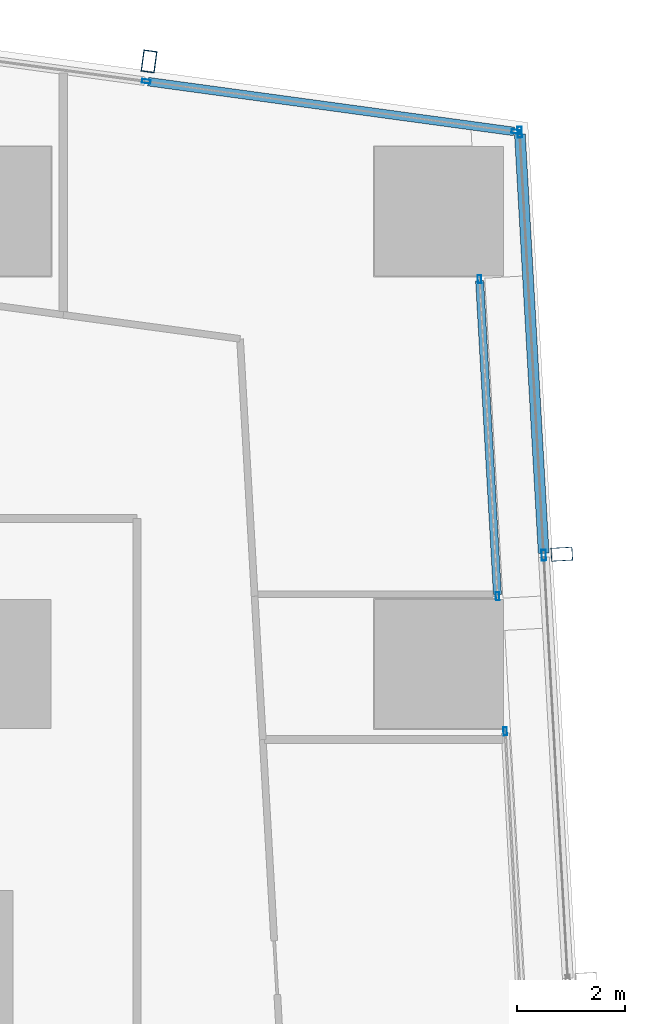
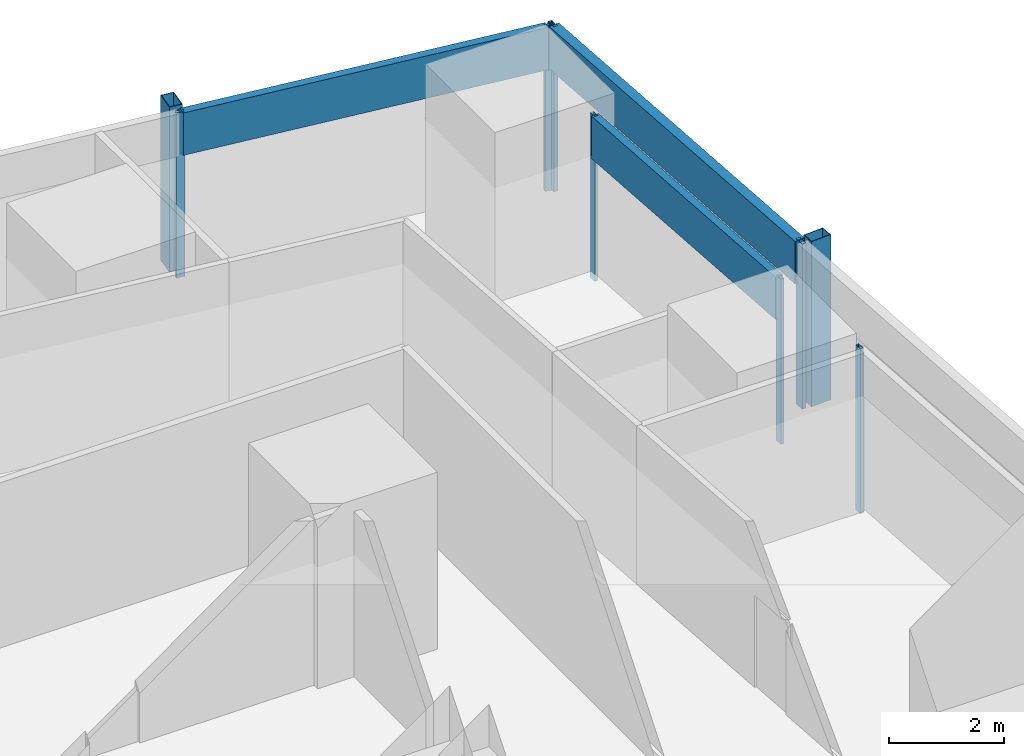
# One storey, part 21 of 37: 12 members, 4 elements without a shape of their own.
"""IFC4 building model written with IfcOpenShell, lengths in metres."""

from ifc_helpers import new_model, si_unit, direction, frame, origin, origin_2d, place, context, subcontext, project, spatial, hollow_rectangle, extrude, material, material_profile, profile_set, type_object, element, aggregate, save


model = new_model("IFC4")

# Units and contexts
model_context = context("Model", 3, precision=1e-05, world=origin(), true_north=direction((0.0, 1.0)))
body_context = subcontext(model_context, "Body", "Model", "MODEL_VIEW")
ifc_project = project(units=[si_unit("LENGTHUNIT", "METRE"), si_unit("AREAUNIT", "SQUARE_METRE"), si_unit("VOLUMEUNIT", "CUBIC_METRE"), si_unit("PLANEANGLEUNIT", "RADIAN"), si_unit("MASSUNIT", "GRAM", prefix="KILO")], contexts=[model_context])

# Site, building, storey
site_placement = place(None, origin())
site = spatial("IfcSite", under=ifc_project, at=site_placement, CompositionType="ELEMENT")
building_placement = place(site_placement, origin())
building = spatial("IfcBuilding", under=site, at=building_placement, Name="Rekha Terrace Tower", CompositionType="ELEMENT")
storey_placement = place(building_placement, frame((0.0, 0.0, 228.949951171875)))
storey = spatial("IfcBuildingStorey", under=building, at=storey_placement, Name="L58", CompositionType="ELEMENT", Elevation=228.949951171875)

# Curtain wall, member
ifc_material_1 = material(Name="Aluminium framing", Category="aluminium")
curtain_wall_type_1 = type_object("IfcCurtainWallType", Name="CW2 double skin outer glazing", PredefinedType="USERDEFINED", material=ifc_material_1)
curtain_wall_1_placement = place(storey_placement, origin())
curtain_wall_1 = element("IfcCurtainWall", 1, at=curtain_wall_1_placement, inside=storey, type_object=curtain_wall_type_1, Name="CW2 double skin outer glazing", ObjectType="DOUBLE SKIN OUTER GLAZING", PredefinedType="USERDEFINED")
ifc_material_2 = material(Name="Steel S355 with fluorocarbon finish", Category="steel")
ifc_material_profile_1 = material_profile(ifc_material_2, hollow_rectangle(XDim=0.25, YDim=0.39990234375, WallThickness=0.012451171875, at=origin_2d()), Name="RHS400x250x12.5")
ifc_profile_set_1 = profile_set([ifc_material_profile_1], Name="Steel S355 with fluorocarbon finish")
member_type_1 = type_object("IfcMemberType", Name="BL1 facade blade RHS 400 x 250", PredefinedType="USERDEFINED", material=ifc_profile_set_1)
member_1_placement = place(storey_placement, frame((61.080078125, 52.4375, 0.0), z_axis=(0.0, 0.0, 1.0), x_axis=(-0.056673619809, 0.998392758797, 0.0)))
member_1 = element("IfcMember", 2, at=member_1_placement, type_object=member_type_1, Name="Facade blade", ObjectType="FACADE BLADE", PredefinedType="USERDEFINED", context=body_context, shape_type="SweptSolid", body=[
    extrude(hollow_rectangle(XDim=0.25, YDim=0.39990234375, WallThickness=0.012451171875, at=origin_2d()), origin(), (0.0, 0.0, 1.0), 3.5),
])

curtain_wall_type_2 = type_object("IfcCurtainWallType", Name="CW3 north unitised glazing", PredefinedType="USERDEFINED", material=ifc_material_1)
curtain_wall_2_placement = place(storey_placement, origin())
curtain_wall_2 = element("IfcCurtainWall", 3, at=curtain_wall_2_placement, inside=storey, type_object=curtain_wall_type_2, Name="CW3 unitised curtain wall", ObjectType="UNITISED CURTAIN WALL", PredefinedType="USERDEFINED")
member_2_placement = place(storey_placement, frame((53.419921875, 61.583251953125, 0.0), z_axis=(0.0, 0.0, 1.0), x_axis=(-0.990867309488, 0.134840553943, 0.0)))
member_2 = element("IfcMember", 4, at=member_2_placement, type_object=member_type_1, Name="Facade blade", ObjectType="FACADE BLADE", PredefinedType="USERDEFINED", context=body_context, shape_type="SweptSolid", body=[
    extrude(hollow_rectangle(XDim=0.25, YDim=0.39990234375, WallThickness=0.012451171875, at=origin_2d()), origin(), (0.0, 0.0, 1.0), 3.5),
])

curtain_wall_type_3 = type_object("IfcCurtainWallType", Name="CW1 double skin inner glazing", PredefinedType="USERDEFINED", material=ifc_material_1)
curtain_wall_3_placement = place(storey_placement, origin())
curtain_wall_3 = element("IfcCurtainWall", 5, at=curtain_wall_3_placement, inside=storey, type_object=curtain_wall_type_3, Name="CW1 double skin inner glazing", ObjectType="DOUBLE SKIN INNER GLAZING", PredefinedType="USERDEFINED")
ifc_material_3 = material(Name="Aluminium mullion section", Category="aluminium")
ifc_material_profile_2 = material_profile(ifc_material_3, hollow_rectangle(XDim=0.06494140625, YDim=0.14990234375, WallThickness=0.00390625, at=origin_2d()), Name="AL RHS 65x150")
ifc_profile_set_2 = profile_set([ifc_material_profile_2], Name="Aluminium mullion section")
member_type_2 = type_object("IfcMemberType", Name="CW1 mullion RHS 65 x 150", PredefinedType="MULLION", material=ifc_profile_set_2)
member_3_placement = place(storey_placement, frame((60.02978515625, 49.149169921875, 0.0), z_axis=(0.0, 0.0, 1.0), x_axis=(-0.998392782918, -0.056673194877, 0.0)))
member_3 = element("IfcMember", 6, at=member_3_placement, type_object=member_type_2, Name="CW1 mullion 3", PredefinedType="MULLION", context=body_context, shape_type="SweptSolid", body=[
    extrude(hollow_rectangle(XDim=0.06494140625, YDim=0.14990234375, WallThickness=0.00390625, at=origin_2d()), origin(), (0.0, 0.0, 1.0), 3.5),
])
aggregate(curtain_wall_3, [member_3])

# Curtain wall, members
curtain_wall_4_placement = place(storey_placement, origin())
curtain_wall_4 = element("IfcCurtainWall", 7, at=curtain_wall_4_placement, inside=storey, type_object=curtain_wall_type_3, Name="CW1 double skin inner glazing", ObjectType="DOUBLE SKIN INNER GLAZING", PredefinedType="USERDEFINED")
member_4_placement = place(storey_placement, frame((59.887451171875, 51.65771484375, 0.0), z_axis=(0.0, 0.0, 1.0), x_axis=(-0.998392782918, -0.056673194877, 0.0)))
member_4 = element("IfcMember", 8, at=member_4_placement, type_object=member_type_2, Name="CW1 mullion 1", PredefinedType="MULLION", context=body_context, shape_type="SweptSolid", body=[
    extrude(hollow_rectangle(XDim=0.06494140625, YDim=0.14990234375, WallThickness=0.00390625, at=origin_2d()), origin(), (0.0, 0.0, 1.0), 3.5),
])
member_5_placement = place(storey_placement, frame((59.553466796875, 57.542236328125, 0.0), z_axis=(0.0, 0.0, 1.0), x_axis=(-0.998392782918, -0.056673194877, 0.0)))
member_5 = element("IfcMember", 9, at=member_5_placement, type_object=member_type_2, Name="CW1 mullion 2", PredefinedType="MULLION", context=body_context, shape_type="SweptSolid", body=[
    extrude(hollow_rectangle(XDim=0.06494140625, YDim=0.14990234375, WallThickness=0.00390625, at=origin_2d()), origin(), (0.0, 0.0, 1.0), 3.5),
])
ifc_material_4 = material(Name="Insulated aluminium spandrel box", Category="aluminium")
ifc_material_profile_3 = material_profile(ifc_material_4, hollow_rectangle(XDim=0.14990234375, YDim=0.89990234375, WallThickness=0.0029296875, at=origin_2d()), Name="AL SPANDREL BOX 150x900")
ifc_profile_set_3 = profile_set([ifc_material_profile_3], Name="Insulated aluminium spandrel box")
member_type_3 = type_object("IfcMemberType", Name="CW1 spandrel transom 150 x 900", PredefinedType="USERDEFINED", material=ifc_profile_set_3)
member_6_placement = place(storey_placement, frame((59.885498046875, 51.690185546875, 3.050048828125), z_axis=(-0.056669284541, 0.998393004878, 0.0), x_axis=(-0.998393004878, -0.056669284541, 0.0)))
member_6 = element("IfcMember", 10, at=member_6_placement, type_object=member_type_3, Name="CW1 spandrel transom 1", ObjectType="TRANSOM", PredefinedType="USERDEFINED", context=body_context, shape_type="SweptSolid", body=[
    extrude(hollow_rectangle(XDim=0.14990234375, YDim=0.89990234375, WallThickness=0.0029296875, at=origin_2d()), origin(), (0.0, 0.0, 1.0), 5.828857421875),
])
aggregate(curtain_wall_4, [member_4, member_5, member_6])

# Member
ifc_material_profile_4 = material_profile(ifc_material_3, hollow_rectangle(XDim=0.080078125, YDim=0.199951171875, WallThickness=0.00390625, at=origin_2d()), Name="AL RHS 80x200")
ifc_profile_set_4 = profile_set([ifc_material_profile_4], Name="Aluminium mullion section")
member_type_4 = type_object("IfcMemberType", Name="CW2 mullion RHS 80 x 200", PredefinedType="MULLION", material=ifc_profile_set_4)
member_7_placement = place(storey_placement, frame((60.74560546875, 52.41845703125, 0.0), z_axis=(0.0, 0.0, 1.0), x_axis=(-0.998392782919, -0.05667319486, 0.0)))
member_7 = element("IfcMember", 11, at=member_7_placement, type_object=member_type_4, Name="CW2 mullion 4", PredefinedType="MULLION", context=body_context, shape_type="SweptSolid", body=[
    extrude(hollow_rectangle(XDim=0.080078125, YDim=0.199951171875, WallThickness=0.00390625, at=origin_2d()), origin(), (0.0, 0.0, 1.0), 3.5),
])

member_8_placement = place(storey_placement, frame((60.300048828125, 60.269287109375, 0.0), z_axis=(0.0, 0.0, 1.0), x_axis=(-0.998392782919, -0.05667319486, 0.0)))
member_8 = element("IfcMember", 12, at=member_8_placement, type_object=member_type_4, Name="CW2 mullion 5", PredefinedType="MULLION", context=body_context, shape_type="SweptSolid", body=[
    extrude(hollow_rectangle(XDim=0.080078125, YDim=0.199951171875, WallThickness=0.00390625, at=origin_2d()), origin(), (0.0, 0.0, 1.0), 3.5),
])

ifc_material_profile_5 = material_profile(ifc_material_4, hollow_rectangle(XDim=0.199951171875, YDim=0.89990234375, WallThickness=0.0029296875, at=origin_2d()), Name="AL SPANDREL BOX 200x900")
ifc_profile_set_5 = profile_set([ifc_material_profile_5], Name="Insulated aluminium spandrel box")
member_type_5 = type_object("IfcMemberType", Name="CW2 spandrel transom 200 x 900", PredefinedType="USERDEFINED", material=ifc_profile_set_5)
member_9_placement = place(storey_placement, frame((60.743408203125, 52.45849609375, 3.050048828125), z_axis=(-0.05667908121, 0.998392448766, 0.0), x_axis=(-0.998392448766, -0.05667908121, 0.0)))
member_9 = element("IfcMember", 13, at=member_9_placement, type_object=member_type_5, Name="CW2 spandrel transom 4", ObjectType="TRANSOM", PredefinedType="USERDEFINED", context=body_context, shape_type="SweptSolid", body=[
    extrude(hollow_rectangle(XDim=0.199951171875, YDim=0.89990234375, WallThickness=0.0029296875, at=origin_2d()), origin(), (0.0, 0.0, 1.0), 7.783447265625),
])

aggregate(curtain_wall_1, [member_7, member_8, member_9, member_1])

ifc_material_profile_6 = material_profile(ifc_material_3, hollow_rectangle(XDim=0.070068359375, YDim=0.159912109375, WallThickness=0.00390625, at=origin_2d()), Name="AL RHS 70x160")
ifc_profile_set_6 = profile_set([ifc_material_profile_6], Name="Aluminium mullion section")
member_type_6 = type_object("IfcMemberType", Name="CW3 mullion RHS 70 x 160", PredefinedType="MULLION", material=ifc_profile_set_6)
member_10_placement = place(storey_placement, frame((60.22509765625, 60.27880859375, 0.0), z_axis=(0.0, 0.0, 1.0), x_axis=(-0.134840840416, -0.990867270504, 0.0)))
member_10 = element("IfcMember", 14, at=member_10_placement, type_object=member_type_6, Name="CW3 mullion 1", PredefinedType="MULLION", context=body_context, shape_type="SweptSolid", body=[
    extrude(hollow_rectangle(XDim=0.070068359375, YDim=0.159912109375, WallThickness=0.00390625, at=origin_2d()), origin(), (0.0, 0.0, 1.0), 3.5),
])

member_11_placement = place(storey_placement, frame((53.369384765625, 61.211669921875, 0.0), z_axis=(0.0, 0.0, 1.0), x_axis=(-0.134840840416, -0.990867270504, 0.0)))
member_11 = element("IfcMember", 15, at=member_11_placement, type_object=member_type_6, Name="CW3 mullion 2", PredefinedType="MULLION", context=body_context, shape_type="SweptSolid", body=[
    extrude(hollow_rectangle(XDim=0.070068359375, YDim=0.159912109375, WallThickness=0.00390625, at=origin_2d()), origin(), (0.0, 0.0, 1.0), 3.5),
])

ifc_material_profile_7 = material_profile(ifc_material_4, hollow_rectangle(XDim=0.159912109375, YDim=0.89990234375, WallThickness=0.0029296875, at=origin_2d()), Name="AL SPANDREL BOX 160x900")
ifc_profile_set_7 = profile_set([ifc_material_profile_7], Name="Insulated aluminium spandrel box")
member_type_7 = type_object("IfcMemberType", Name="CW3 spandrel transom 160 x 900", PredefinedType="USERDEFINED", material=ifc_profile_set_7)
member_12_placement = place(storey_placement, frame((60.190185546875, 60.283447265625, 3.050048828125), z_axis=(-0.990865276141, 0.134855495022, 0.0), x_axis=(-0.134855495022, -0.990865276141, 0.0)))
member_12 = element("IfcMember", 16, at=member_12_placement, type_object=member_type_7, Name="CW3 spandrel transom 1", ObjectType="TRANSOM", PredefinedType="USERDEFINED", context=body_context, shape_type="SweptSolid", body=[
    extrude(hollow_rectangle(XDim=0.159912109375, YDim=0.89990234375, WallThickness=0.0029296875, at=origin_2d()), origin(), (0.0, 0.0, 1.0), 6.8486328125),
])

aggregate(curtain_wall_2, [member_10, member_11, member_12, member_2])

save(model, "model.ifc")
